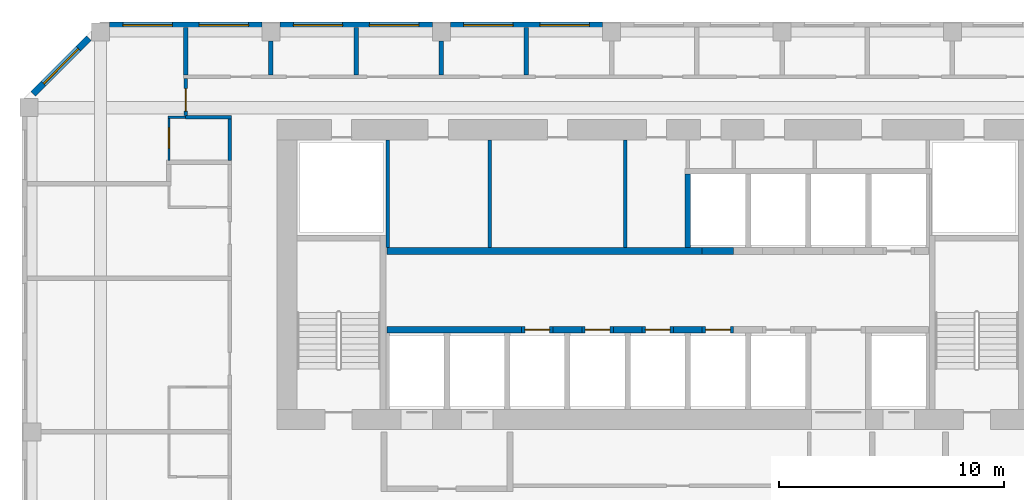
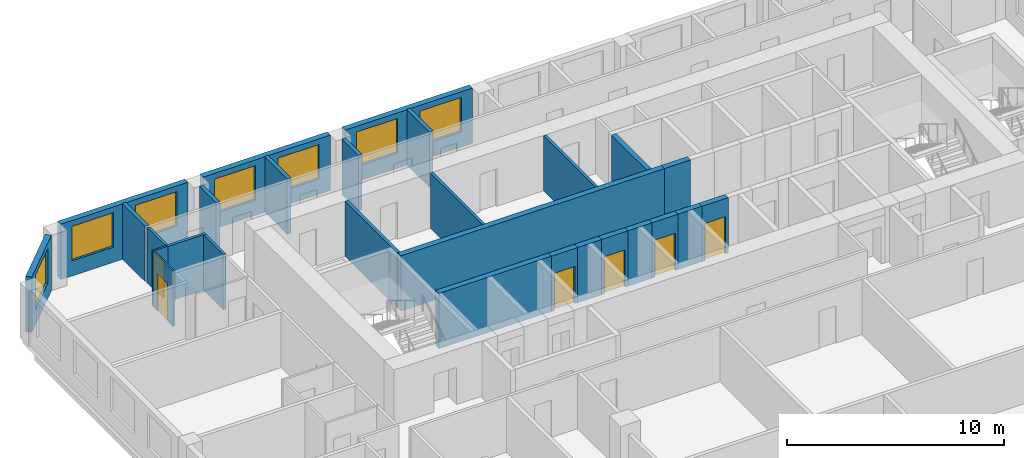
# One storey, part 8 of 22: 28 walls, 7 windows, 6 doors, 13 openings.
"""IFC4 building model written with IfcOpenShell, lengths in metres."""

from ifc_helpers import new_model, si_unit, direction, frame, frame_2d, origin, place, context, subcontext, project, spatial, rectangle, extrude, source, transform, mapped, material, layer, layer_set, type_object, element, fill, save


model = new_model("IFC4")

# Units and contexts
model_context = context("Model", 3, precision=1e-05, world=origin(), true_north=direction((0.0, 1.0)))
body_context = subcontext(model_context, "Body", "Model", "MODEL_VIEW")
ifc_project = project(units=[si_unit("LENGTHUNIT", "METRE"), si_unit("AREAUNIT", "SQUARE_METRE"), si_unit("VOLUMEUNIT", "CUBIC_METRE"), si_unit("PLANEANGLEUNIT", "RADIAN"), si_unit("MASSUNIT", "GRAM", prefix="KILO")], contexts=[model_context])

# Site, building, storey
site_placement = place(None, origin())
site = spatial("IfcSite", under=ifc_project, at=site_placement, CompositionType="ELEMENT")
building_placement = place(site_placement, origin())
building = spatial("IfcBuilding", under=site, at=building_placement, Name="Kilnfold Tower and Market Hall", CompositionType="ELEMENT")
storey_placement = place(building_placement, frame((0.0, 0.0, 171.89990234375)))
storey = spatial("IfcBuildingStorey", under=building, at=storey_placement, Name="L40", CompositionType="ELEMENT", Elevation=171.89990234375)

# Wall, opening, door
ifc_material_1 = material(Name="Gypsum board on steel studs", Category="steel")
ifc_layer_1 = layer(ifc_material_1, 0.14990234375)
ifc_layer_set_1 = layer_set([ifc_layer_1], Name="Gypsum board on steel studs")
wall_type_1 = type_object("IfcWallType", Name="WALL CORRIDOR 150", PredefinedType="PARTITIONING", material=ifc_layer_set_1)
wall_1_placement = place(storey_placement, frame((-19.958984375, 22.074951171875, 0.0), z_axis=(0.0, 0.0, 1.0), x_axis=(0.0, 1.0, 0.0)))
wall_1 = element("IfcWall", 1, at=wall_1_placement, inside=storey, type_object=wall_type_1, Name="Partition LY26.26", PredefinedType="PARTITIONING", context=body_context, shape_type="SweptSolid", body=[
    extrude(rectangle(XDim=1.650146484375, YDim=0.14990234375, at=frame_2d((0.8251953125, 0.0))), origin(), (0.0, 0.0, 1.0), 3.1201171875),
])
opening_1_placement = place(wall_1_placement, frame((0.199951171875, 0.0, 0.0)))
opening_1 = element("IfcOpeningElement", 2, at=opening_1_placement, cuts=wall_1, Name="Opening D1", PredefinedType="OPENING", context=body_context, shape_type="SweptSolid", body=[
    extrude(rectangle(XDim=1.0, YDim=2.10009765625, at=frame_2d((0.5, 1.050048828125))), frame((0.0, 0.0849609375, 0.0), z_axis=(0.0, -1.0, 0.0), x_axis=(1.0, 0.0, 0.0)), (0.0, 0.0, 1.0), 0.169921875),
])
ifc_material_2 = material(Name="Timber veneer door leaf in steel frame", Category="steel")
door_type_1 = type_object("IfcDoorType", Name="DOOR ENTRY 1000 X2100", OperationType="NOTDEFINED", PredefinedType="DOOR", material=ifc_material_2)
door_1_placement = place(opening_1_placement, origin())
door_1 = element("IfcDoor", 3, at=door_1_placement, inside=storey, type_object=door_type_1, Name="Door D1", OperationType="SINGLE_SWING_LEFT", OverallHeight=2.10009765625, OverallWidth=1.0, PredefinedType="DOOR", context=body_context, shape_type="SweptSolid", body=[
    extrude(rectangle(XDim=1.0, YDim=2.10009765625, at=frame_2d((0.5, 1.050048828125))), frame((0.0, 0.02490234375, 0.0), z_axis=(0.0, -1.0, 0.0), x_axis=(1.0, 0.0, 0.0)), (0.0, 0.0, 1.0), 0.050048828125),
])
fill(opening_1, door_1)

# Walls
wall_2_placement = place(storey_placement, frame((-18.0, 20.090087890625, 0.0), z_axis=(0.0, 0.0, 1.0), x_axis=(0.0, 1.0, 0.0)))
element("IfcWall", 4, at=wall_2_placement, inside=storey, type_object=wall_type_1, Name="Partition LY26.27", PredefinedType="PARTITIONING", context=body_context, shape_type="SweptSolid", body=[
    extrude(rectangle(XDim=1.8349609375, YDim=0.14990234375, at=frame_2d((0.91748046875, 0.0))), origin(), (0.0, 0.0, 1.0), 3.1201171875),
])
wall_3_placement = place(storey_placement, frame((-19.958984375, 22.0, 0.0), z_axis=(0.0, 0.0, 1.0), x_axis=(1.0, 0.0, 0.0)))
element("IfcWall", 5, at=wall_3_placement, inside=storey, type_object=wall_type_1, Name="Partition LY26.28", PredefinedType="PARTITIONING", context=body_context, shape_type="SweptSolid", body=[
    extrude(rectangle(XDim=2.033935546875, YDim=0.14990234375, at=frame_2d((1.01708984375, 0.0))), origin(), (0.0, 0.0, 1.0), 3.1201171875),
])
ifc_material_3 = material(Name="Gypsum board on steel studs", Category="steel")
ifc_layer_2 = layer(ifc_material_3, 0.10009765625)
ifc_layer_set_2 = layer_set([ifc_layer_2], Name="Gypsum board on steel studs")
wall_type_2 = type_object("IfcWallType", Name="WALL PARTITION 100", PredefinedType="PARTITIONING", material=ifc_layer_set_2)
wall_4_placement = place(storey_placement, frame((-20.751953125, 22.0, 0.0), z_axis=(0.0, 0.0, 1.0), x_axis=(1.0, 0.0, 0.0)))
element("IfcWall", 6, at=wall_4_placement, inside=storey, type_object=wall_type_2, Name="Partition LY26.115", PredefinedType="PARTITIONING", context=body_context, shape_type="SweptSolid", body=[
    extrude(rectangle(XDim=0.791015625, YDim=0.10009765625, at=frame_2d((0.3955078125, 0.0))), origin(), (0.0, 0.0, 1.0), 3.1201171875),
])

# Wall, opening, door
wall_5_placement = place(storey_placement, frame((-20.701904296875, 20.090087890625, 0.0), z_axis=(0.0, 0.0, 1.0), x_axis=(0.0, 1.0, 0.0)))
wall_5 = element("IfcWall", 7, at=wall_5_placement, inside=storey, type_object=wall_type_2, Name="Partition LY26.116", PredefinedType="PARTITIONING", context=body_context, shape_type="SweptSolid", body=[
    extrude(rectangle(XDim=1.85986328125, YDim=0.10009765625, at=frame_2d((0.929931640625, 0.0))), origin(), (0.0, 0.0, 1.0), 3.1201171875),
])
opening_2_placement = place(wall_5_placement, frame((0.535888671875, 0.0, 0.0)))
opening_2 = element("IfcOpeningElement", 8, at=opening_2_placement, cuts=wall_5, Name="Opening D3", PredefinedType="OPENING", context=body_context, shape_type="SweptSolid", body=[
    extrude(rectangle(XDim=0.89990234375, YDim=2.10009765625, at=frame_2d((0.449951171875, 1.050048828125))), frame((0.0, 0.06005859375, 0.0), z_axis=(0.0, -1.0, 0.0), x_axis=(1.0, 0.0, 0.0)), (0.0, 0.0, 1.0), 0.1201171875),
])
ifc_material_4 = material(Name="Timber veneer door leaf in steel frame", Category="steel")
door_type_2 = type_object("IfcDoorType", Name="DOOR WC 900 X2100", OperationType="NOTDEFINED", PredefinedType="DOOR", material=ifc_material_4)
door_2_placement = place(opening_2_placement, origin())
door_2 = element("IfcDoor", 9, at=door_2_placement, inside=storey, type_object=door_type_2, Name="Door D3", OperationType="SINGLE_SWING_RIGHT", OverallHeight=2.10009765625, OverallWidth=0.89990234375, PredefinedType="DOOR", context=body_context, shape_type="SweptSolid", body=[
    extrude(rectangle(XDim=0.89990234375, YDim=2.10009765625, at=frame_2d((0.449951171875, 1.050048828125))), frame((0.0, 0.02490234375, 0.0), z_axis=(0.0, -1.0, 0.0), x_axis=(1.0, 0.0, 0.0)), (0.0, 0.0, 1.0), 0.050048828125),
])
fill(opening_2, door_2)

# Walls
ifc_material_5 = material(Name="Gypsum board on steel studs", Category="steel")
ifc_layer_3 = layer(ifc_material_5, 0.199951171875)
ifc_layer_set_3 = layer_set([ifc_layer_3], Name="Gypsum board on steel studs")
wall_type_3 = type_object("IfcWallType", Name="WALL PARTY 200", PredefinedType="PARTITIONING", material=ifc_layer_set_3)
wall_6_placement = place(storey_placement, frame((-19.958984375, 23.876953125, 0.0), z_axis=(0.0, 0.0, 1.0), x_axis=(0.0, 1.0, 0.0)))
element("IfcWall", 10, at=wall_6_placement, inside=storey, type_object=wall_type_3, Name="Partition LY26.117", PredefinedType="PARTITIONING", context=body_context, shape_type="SweptSolid", body=[
    extrude(rectangle(XDim=2.123046875, YDim=0.199951171875, at=frame_2d((1.0615234375, 0.0))), origin(), (0.0, 0.0, 1.0), 3.1201171875),
])
wall_7_placement = place(storey_placement, frame((-16.1669921875, 23.876953125, 0.0), z_axis=(0.0, 0.0, 1.0), x_axis=(0.0, 1.0, 0.0)))
element("IfcWall", 11, at=wall_7_placement, inside=storey, type_object=wall_type_3, Name="Partition LY26.124", PredefinedType="PARTITIONING", context=body_context, shape_type="SweptSolid", body=[
    extrude(rectangle(XDim=1.52294921875, YDim=0.199951171875, at=frame_2d((0.761474609375, 0.0))), origin(), (0.0, 0.0, 1.0), 3.1201171875),
])
wall_8_placement = place(storey_placement, frame((-12.375, 23.876953125, 0.0), z_axis=(0.0, 0.0, 1.0), x_axis=(0.0, 1.0, 0.0)))
element("IfcWall", 12, at=wall_8_placement, inside=storey, type_object=wall_type_3, Name="Partition LY26.125", PredefinedType="PARTITIONING", context=body_context, shape_type="SweptSolid", body=[
    extrude(rectangle(XDim=2.123046875, YDim=0.199951171875, at=frame_2d((1.0615234375, 0.0))), origin(), (0.0, 0.0, 1.0), 3.1201171875),
])
wall_9_placement = place(storey_placement, frame((-8.5830078125, 23.876953125, 0.0), z_axis=(0.0, 0.0, 1.0), x_axis=(0.0, 1.0, 0.0)))
element("IfcWall", 13, at=wall_9_placement, inside=storey, type_object=wall_type_3, Name="Partition LY26.126", PredefinedType="PARTITIONING", context=body_context, shape_type="SweptSolid", body=[
    extrude(rectangle(XDim=1.52294921875, YDim=0.199951171875, at=frame_2d((0.761474609375, 0.0))), origin(), (0.0, 0.0, 1.0), 3.1201171875),
])
wall_10_placement = place(storey_placement, frame((-4.7919921875, 23.876953125, 0.0), z_axis=(0.0, 0.0, 1.0), x_axis=(0.0, 1.0, 0.0)))
element("IfcWall", 14, at=wall_10_placement, inside=storey, type_object=wall_type_3, Name="Partition LY26.127", PredefinedType="PARTITIONING", context=body_context, shape_type="SweptSolid", body=[
    extrude(rectangle(XDim=2.123046875, YDim=0.199951171875, at=frame_2d((1.0615234375, 0.0))), origin(), (0.0, 0.0, 1.0), 3.1201171875),
])
ifc_material_6 = material(Name="Concrete C70", Category="concrete")
ifc_layer_4 = layer(ifc_material_6, 0.300048828125)
ifc_layer_set_4 = layer_set([ifc_layer_4], Name="Concrete C70")
wall_type_4 = type_object("IfcWallType", Name="CORE WALL 300 C70", PredefinedType="SHEAR", material=ifc_layer_set_4)
shared_shape_1 = source(origin(), body_context, "Body", "SweptSolid", [
    extrude(rectangle(XDim=6.0, YDim=0.300048828125, at=frame_2d((3.0, 0.0))), origin(), (0.0, 0.0, 1.0), 3.1201171875),
])
wall_11_placement = place(storey_placement, frame((-11.010009765625, 12.550048828125, 0.0), z_axis=(0.0, 0.0, 1.0), x_axis=(1.0, 0.0, 0.0)))
element("IfcWall", 15, at=wall_11_placement, inside=storey, type_object=wall_type_4, Name="Core spine wall", PredefinedType="SHEAR", context=body_context, shape_type="MappedRepresentation", body=[
    mapped(shared_shape_1, transform((0.0, 0.0, 0.0))),
])
shared_shape_2 = source(origin(), body_context, "Body", "SweptSolid", [
    extrude(rectangle(XDim=1.280029296875, YDim=0.300048828125, at=frame_2d((0.64013671875, 0.0))), origin(), (0.0, 0.0, 1.0), 3.1201171875),
])
for number, where, z_axis, x_axis, name in (
    (16, (-3.610107421875, 12.550048828125, 0.0), (0.0, 0.0, 1.0), (1.0, 0.0, 0.0), "Core spine wall"),
    (17, (-0.929931640625, 12.550048828125, 0.0), (0.0, 0.0, 1.0), (1.0, 0.0, 0.0), "Core spine wall"),
    (18, (1.75, 12.550048828125, 0.0), (0.0, 0.0, 1.0), (1.0, 0.0, 0.0), "Core spine wall"),
):
    element("IfcWall", number, at=place(storey_placement, frame(where, z_axis=z_axis, x_axis=x_axis)), inside=storey, type_object=wall_type_4, Name=name, PredefinedType="SHEAR", context=body_context, shape_type="MappedRepresentation", body=[
        mapped(shared_shape_2, transform((0.0, 0.0, 0.0))),
    ])
shared_shape_3 = source(origin(), body_context, "Body", "SweptSolid", [
    extrude(rectangle(XDim=14.0400390625, YDim=0.300048828125, at=frame_2d((7.02001953125, 0.0))), origin(), (0.0, 0.0, 1.0), 3.1201171875),
])
wall_12_placement = place(storey_placement, frame((-11.010009765625, 16.050048828125, 0.0), z_axis=(0.0, 0.0, 1.0), x_axis=(1.0, 0.0, 0.0)))
element("IfcWall", 19, at=wall_12_placement, inside=storey, type_object=wall_type_4, Name="Core spine wall", PredefinedType="SHEAR", context=body_context, shape_type="MappedRepresentation", body=[
    mapped(shared_shape_3, transform((0.0, 0.0, 0.0))),
])

# Wall, openings, windows
ifc_material_7 = material(Name="Precast concrete C50/60", Category="concrete")
ifc_layer_5 = layer(ifc_material_7, 0.300048828125)
ifc_layer_set_5 = layer_set([ifc_layer_5], Name="Precast concrete C50/60")
wall_type_5 = type_object("IfcWallType", Name="PRECAST WALL 300", PredefinedType="SOLIDWALL", material=ifc_layer_set_5)
shared_shape_4 = source(origin(), body_context, "Body", "SweptSolid", [
    extrude(rectangle(XDim=6.783447265625, YDim=0.300048828125, at=frame_2d((3.3916015625, 0.0))), origin(), (0.0, 0.0, 1.0), 3.1201171875),
])
wall_13_placement = place(storey_placement, frame((-1.39990234375, 26.10009765625, 0.0), z_axis=(0.0, 0.0, 1.0), x_axis=(-1.0, 0.0, 0.0)))
wall_13 = element("IfcWall", 20, at=wall_13_placement, inside=storey, type_object=wall_type_5, Name="External wall L40 N", PredefinedType="SOLIDWALL", context=body_context, shape_type="MappedRepresentation", body=[
    mapped(shared_shape_4, transform((0.0, 0.0, 0.0))),
])
opening_3_placement = place(wall_13_placement, frame((0.595703125, 0.0, 0.85009765625)))
opening_3 = element("IfcOpeningElement", 21, at=opening_3_placement, cuts=wall_13, Name="Opening W2", PredefinedType="OPENING", context=body_context, shape_type="SweptSolid", body=[
    extrude(rectangle(XDim=2.199951171875, YDim=1.949951171875, at=frame_2d((1.10009765625, 0.97509765625))), frame((0.0, 0.16015625, 0.0), z_axis=(0.0, -1.0, 0.0), x_axis=(1.0, 0.0, 0.0)), (0.0, 0.0, 1.0), 0.320068359375),
])
opening_4_placement = place(wall_13_placement, frame((3.987548828125, 0.0, 0.85009765625)))
opening_4 = element("IfcOpeningElement", 22, at=opening_4_placement, cuts=wall_13, Name="Opening W2", PredefinedType="OPENING", context=body_context, shape_type="SweptSolid", body=[
    extrude(rectangle(XDim=2.199951171875, YDim=1.949951171875, at=frame_2d((1.10009765625, 0.97509765625))), frame((0.0, 0.16015625, 0.0), z_axis=(0.0, -1.0, 0.0), x_axis=(1.0, 0.0, 0.0)), (0.0, 0.0, 1.0), 0.320068359375),
])
ifc_material_8 = material(Name="Aluminium frame and double glazing", Category="aluminium")
window_type = type_object("IfcWindowType", Name="WINDOW W2 2200X1950", PartitioningType="SINGLE_PANEL", PredefinedType="WINDOW", material=ifc_material_8)
window_1_placement = place(opening_3_placement, origin())
window_1 = element("IfcWindow", 23, at=window_1_placement, inside=storey, type_object=window_type, Name="Window W2 L40 N-1", OverallHeight=1.949951171875, OverallWidth=2.199951171875, PartitioningType="SINGLE_PANEL", PredefinedType="WINDOW", context=body_context, shape_type="SweptSolid", body=[
    extrude(rectangle(XDim=2.199951171875, YDim=1.949951171875, at=frame_2d((1.10009765625, 0.97509765625))), frame((0.0, 0.030029296875, 0.0), z_axis=(0.0, -1.0, 0.0), x_axis=(1.0, 0.0, 0.0)), (0.0, 0.0, 1.0), 0.06005859375),
])
fill(opening_3, window_1)
window_2_placement = place(opening_4_placement, origin())
window_2 = element("IfcWindow", 24, at=window_2_placement, inside=storey, type_object=window_type, Name="Window W2 L40 N-2", OverallHeight=1.949951171875, OverallWidth=2.199951171875, PartitioningType="SINGLE_PANEL", PredefinedType="WINDOW", context=body_context, shape_type="SweptSolid", body=[
    extrude(rectangle(XDim=2.199951171875, YDim=1.949951171875, at=frame_2d((1.10009765625, 0.97509765625))), frame((0.0, 0.030029296875, 0.0), z_axis=(0.0, -1.0, 0.0), x_axis=(1.0, 0.0, 0.0)), (0.0, 0.0, 1.0), 0.06005859375),
])
fill(opening_4, window_2)

wall_14_placement = place(storey_placement, frame((-16.566650390625, 26.10009765625, 0.0), z_axis=(0.0, 0.0, 1.0), x_axis=(-1.0, 0.0, 0.0)))
wall_14 = element("IfcWall", 25, at=wall_14_placement, inside=storey, type_object=wall_type_5, Name="External wall L40 N", PredefinedType="SOLIDWALL", context=body_context, shape_type="MappedRepresentation", body=[
    mapped(shared_shape_4, transform((0.0, 0.0, 0.0))),
])
opening_5_placement = place(wall_14_placement, frame((0.595703125, 0.0, 0.85009765625)))
opening_5 = element("IfcOpeningElement", 26, at=opening_5_placement, cuts=wall_14, Name="Opening W2", PredefinedType="OPENING", context=body_context, shape_type="SweptSolid", body=[
    extrude(rectangle(XDim=2.199951171875, YDim=1.949951171875, at=frame_2d((1.10009765625, 0.97509765625))), frame((0.0, 0.16015625, 0.0), z_axis=(0.0, -1.0, 0.0), x_axis=(1.0, 0.0, 0.0)), (0.0, 0.0, 1.0), 0.320068359375),
])
opening_6_placement = place(wall_14_placement, frame((3.987548828125, 0.0, 0.85009765625)))
opening_6 = element("IfcOpeningElement", 27, at=opening_6_placement, cuts=wall_14, Name="Opening W2", PredefinedType="OPENING", context=body_context, shape_type="SweptSolid", body=[
    extrude(rectangle(XDim=2.199951171875, YDim=1.949951171875, at=frame_2d((1.10009765625, 0.97509765625))), frame((0.0, 0.16015625, 0.0), z_axis=(0.0, -1.0, 0.0), x_axis=(1.0, 0.0, 0.0)), (0.0, 0.0, 1.0), 0.320068359375),
])
window_3_placement = place(opening_5_placement, origin())
window_3 = element("IfcWindow", 28, at=window_3_placement, inside=storey, type_object=window_type, Name="Window W2 L40 N-1", OverallHeight=1.949951171875, OverallWidth=2.199951171875, PartitioningType="SINGLE_PANEL", PredefinedType="WINDOW", context=body_context, shape_type="SweptSolid", body=[
    extrude(rectangle(XDim=2.199951171875, YDim=1.949951171875, at=frame_2d((1.10009765625, 0.97509765625))), frame((0.0, 0.030029296875, 0.0), z_axis=(0.0, -1.0, 0.0), x_axis=(1.0, 0.0, 0.0)), (0.0, 0.0, 1.0), 0.06005859375),
])
fill(opening_5, window_3)
window_4_placement = place(opening_6_placement, origin())
window_4 = element("IfcWindow", 29, at=window_4_placement, inside=storey, type_object=window_type, Name="Window W2 L40 N-2", OverallHeight=1.949951171875, OverallWidth=2.199951171875, PartitioningType="SINGLE_PANEL", PredefinedType="WINDOW", context=body_context, shape_type="SweptSolid", body=[
    extrude(rectangle(XDim=2.199951171875, YDim=1.949951171875, at=frame_2d((1.10009765625, 0.97509765625))), frame((0.0, 0.030029296875, 0.0), z_axis=(0.0, -1.0, 0.0), x_axis=(1.0, 0.0, 0.0)), (0.0, 0.0, 1.0), 0.06005859375),
])
fill(opening_6, window_4)

shared_shape_5 = source(origin(), body_context, "Body", "SweptSolid", [
    extrude(rectangle(XDim=6.783203125, YDim=0.300048828125, at=frame_2d((3.3916015625, 0.0))), origin(), (0.0, 0.0, 1.0), 3.1201171875),
])
wall_15_placement = place(storey_placement, frame((-8.9833984375, 26.10009765625, 0.0), z_axis=(0.0, 0.0, 1.0), x_axis=(-1.0, 0.0, 0.0)))
wall_15 = element("IfcWall", 30, at=wall_15_placement, inside=storey, type_object=wall_type_5, Name="External wall L40 N", PredefinedType="SOLIDWALL", context=body_context, shape_type="MappedRepresentation", body=[
    mapped(shared_shape_5, transform((0.0, 0.0, 0.0))),
])
opening_7_placement = place(wall_15_placement, frame((0.595703125, 0.0, 0.85009765625)))
opening_7 = element("IfcOpeningElement", 31, at=opening_7_placement, cuts=wall_15, Name="Opening W2", PredefinedType="OPENING", context=body_context, shape_type="SweptSolid", body=[
    extrude(rectangle(XDim=2.199951171875, YDim=1.949951171875, at=frame_2d((1.10009765625, 0.97509765625))), frame((0.0, 0.16015625, 0.0), z_axis=(0.0, -1.0, 0.0), x_axis=(1.0, 0.0, 0.0)), (0.0, 0.0, 1.0), 0.320068359375),
])
opening_8_placement = place(wall_15_placement, frame((3.987548828125, 0.0, 0.85009765625)))
opening_8 = element("IfcOpeningElement", 32, at=opening_8_placement, cuts=wall_15, Name="Opening W2", PredefinedType="OPENING", context=body_context, shape_type="SweptSolid", body=[
    extrude(rectangle(XDim=2.199951171875, YDim=1.949951171875, at=frame_2d((1.10009765625, 0.97509765625))), frame((0.0, 0.16015625, 0.0), z_axis=(0.0, -1.0, 0.0), x_axis=(1.0, 0.0, 0.0)), (0.0, 0.0, 1.0), 0.320068359375),
])
window_5_placement = place(opening_7_placement, origin())
window_5 = element("IfcWindow", 33, at=window_5_placement, inside=storey, type_object=window_type, Name="Window W2 L40 N-1", OverallHeight=1.949951171875, OverallWidth=2.199951171875, PartitioningType="SINGLE_PANEL", PredefinedType="WINDOW", context=body_context, shape_type="SweptSolid", body=[
    extrude(rectangle(XDim=2.199951171875, YDim=1.949951171875, at=frame_2d((1.10009765625, 0.97509765625))), frame((0.0, 0.030029296875, 0.0), z_axis=(0.0, -1.0, 0.0), x_axis=(1.0, 0.0, 0.0)), (0.0, 0.0, 1.0), 0.06005859375),
])
fill(opening_7, window_5)
window_6_placement = place(opening_8_placement, origin())
window_6 = element("IfcWindow", 34, at=window_6_placement, inside=storey, type_object=window_type, Name="Window W2 L40 N-2", OverallHeight=1.949951171875, OverallWidth=2.199951171875, PartitioningType="SINGLE_PANEL", PredefinedType="WINDOW", context=body_context, shape_type="SweptSolid", body=[
    extrude(rectangle(XDim=2.199951171875, YDim=1.949951171875, at=frame_2d((1.10009765625, 0.97509765625))), frame((0.0, 0.030029296875, 0.0), z_axis=(0.0, -1.0, 0.0), x_axis=(1.0, 0.0, 0.0)), (0.0, 0.0, 1.0), 0.06005859375),
])
fill(opening_8, window_6)

# Wall, opening, window
shared_shape_6 = source(origin(), body_context, "Body", "SweptSolid", [
    extrude(rectangle(XDim=3.500244140625, YDim=0.300048828125, at=frame_2d((1.75, 0.0))), origin(), (0.0, 0.0, 1.0), 3.1201171875),
])
wall_16_placement = place(storey_placement, frame((-24.268798828125, 25.518798828125, 0.0), z_axis=(0.0, 0.0, 1.0), x_axis=(-0.707141656123, -0.70707190453, 0.0)))
wall_16 = element("IfcWall", 35, at=wall_16_placement, inside=storey, type_object=wall_type_5, Name="External wall L40 NW", PredefinedType="SOLIDWALL", context=body_context, shape_type="MappedRepresentation", body=[
    mapped(shared_shape_6, transform((0.0, 0.0, 0.0))),
])
opening_9_placement = place(wall_16_placement, frame((0.650146484375, 0.0, 0.85009765625)))
opening_9 = element("IfcOpeningElement", 36, at=opening_9_placement, cuts=wall_16, Name="Opening W2", PredefinedType="OPENING", context=body_context, shape_type="SweptSolid", body=[
    extrude(rectangle(XDim=2.199951171875, YDim=1.949951171875, at=frame_2d((1.10009765625, 0.97509765625))), frame((0.0, 0.16015625, 0.0), z_axis=(0.0, -1.0, 0.0), x_axis=(1.0, 0.0, 0.0)), (0.0, 0.0, 1.0), 0.320068359375),
])
window_7_placement = place(opening_9_placement, origin())
window_7 = element("IfcWindow", 37, at=window_7_placement, inside=storey, type_object=window_type, Name="Window W2 L40 NW-1", OverallHeight=1.949951171875, OverallWidth=2.199951171875, PartitioningType="SINGLE_PANEL", PredefinedType="WINDOW", context=body_context, shape_type="SweptSolid", body=[
    extrude(rectangle(XDim=2.199951171875, YDim=1.949951171875, at=frame_2d((1.10009765625, 0.97509765625))), frame((0.0, 0.030029296875, 0.0), z_axis=(0.0, -1.0, 0.0), x_axis=(1.0, 0.0, 0.0)), (0.0, 0.0, 1.0), 0.06005859375),
])
fill(opening_9, window_7)

# Wall, opening, door
ifc_material_9 = material(Name="Gypsum shaft wall system")
ifc_layer_6 = layer(ifc_material_9, 0.300048828125)
ifc_layer_set_6 = layer_set([ifc_layer_6], Name="Gypsum shaft wall system")
wall_type_6 = type_object("IfcWallType", Name="SHAFT WALL 300", PredefinedType="PARTITIONING", material=ifc_layer_set_6)
shared_shape_7 = source(origin(), body_context, "Body", "SweptSolid", [
    extrude(rectangle(XDim=1.39990234375, YDim=0.300048828125, at=frame_2d((0.699951171875, 0.0))), origin(), (0.0, 0.0, 1.0), 3.1201171875),
])
wall_17_placement = place(storey_placement, frame((-5.010009765625, 12.550048828125, 0.0), z_axis=(0.0, 0.0, 1.0), x_axis=(1.0, 0.0, 0.0)))
wall_17 = element("IfcWall", 38, at=wall_17_placement, inside=storey, type_object=wall_type_6, Name="Lift shaft front wall", PredefinedType="PARTITIONING", context=body_context, shape_type="MappedRepresentation", body=[
    mapped(shared_shape_7, transform((0.0, 0.0, 0.0))),
])
opening_10_placement = place(wall_17_placement, frame((0.14990234375, 0.0, 0.0)))
opening_10 = element("IfcOpeningElement", 39, at=opening_10_placement, cuts=wall_17, Name="Opening LD2", PredefinedType="OPENING", context=body_context, shape_type="SweptSolid", body=[
    extrude(rectangle(XDim=1.10009765625, YDim=2.10009765625, at=frame_2d((0.550048828125, 1.050048828125))), frame((0.0, 0.16015625, 0.0), z_axis=(0.0, -1.0, 0.0), x_axis=(1.0, 0.0, 0.0)), (0.0, 0.0, 1.0), 0.320068359375),
])
ifc_material_10 = material(Name="Steel door set with fire-resisting leaf", Category="steel")
door_type_3 = type_object("IfcDoorType", Name="LANDING DOOR 1100X2100", OperationType="NOTDEFINED", PredefinedType="DOOR", material=ifc_material_10)
door_3_placement = place(opening_10_placement, origin())
door_3 = element("IfcDoor", 40, at=door_3_placement, inside=storey, type_object=door_type_3, Name="Landing door MR1", OperationType="DOUBLE_DOOR_SLIDING", OverallHeight=2.10009765625, OverallWidth=1.10009765625, PredefinedType="DOOR", context=body_context, shape_type="SweptSolid", body=[
    extrude(rectangle(XDim=1.10009765625, YDim=2.10009765625, at=frame_2d((0.550048828125, 1.050048828125))), frame((0.0, 0.02490234375, 0.0), z_axis=(0.0, -1.0, 0.0), x_axis=(1.0, 0.0, 0.0)), (0.0, 0.0, 1.0), 0.050048828125),
])
fill(opening_10, door_3)

wall_18_placement = place(storey_placement, frame((0.35009765625, 12.550048828125, 0.0), z_axis=(0.0, 0.0, 1.0), x_axis=(1.0, 0.0, 0.0)))
wall_18 = element("IfcWall", 41, at=wall_18_placement, inside=storey, type_object=wall_type_6, Name="Lift shaft front wall", PredefinedType="PARTITIONING", context=body_context, shape_type="MappedRepresentation", body=[
    mapped(shared_shape_7, transform((0.0, 0.0, 0.0))),
])
opening_11_placement = place(wall_18_placement, frame((0.14990234375, 0.0, 0.0)))
opening_11 = element("IfcOpeningElement", 42, at=opening_11_placement, cuts=wall_18, Name="Opening LD2", PredefinedType="OPENING", context=body_context, shape_type="SweptSolid", body=[
    extrude(rectangle(XDim=1.10009765625, YDim=2.10009765625, at=frame_2d((0.550048828125, 1.050048828125))), frame((0.0, 0.16015625, 0.0), z_axis=(0.0, -1.0, 0.0), x_axis=(1.0, 0.0, 0.0)), (0.0, 0.0, 1.0), 0.320068359375),
])
door_4_placement = place(opening_11_placement, origin())
door_4 = element("IfcDoor", 43, at=door_4_placement, inside=storey, type_object=door_type_3, Name="Landing door MR3", OperationType="DOUBLE_DOOR_SLIDING", OverallHeight=2.10009765625, OverallWidth=1.10009765625, PredefinedType="DOOR", context=body_context, shape_type="SweptSolid", body=[
    extrude(rectangle(XDim=1.10009765625, YDim=2.10009765625, at=frame_2d((0.550048828125, 1.050048828125))), frame((0.0, 0.02490234375, 0.0), z_axis=(0.0, -1.0, 0.0), x_axis=(1.0, 0.0, 0.0)), (0.0, 0.0, 1.0), 0.050048828125),
])
fill(opening_11, door_4)

wall_19_placement = place(storey_placement, frame((3.030029296875, 12.550048828125, 0.0), z_axis=(0.0, 0.0, 1.0), x_axis=(1.0, 0.0, 0.0)))
wall_19 = element("IfcWall", 44, at=wall_19_placement, inside=storey, type_object=wall_type_6, Name="Lift shaft front wall", PredefinedType="PARTITIONING", context=body_context, shape_type="MappedRepresentation", body=[
    mapped(shared_shape_7, transform((0.0, 0.0, 0.0))),
])
opening_12_placement = place(wall_19_placement, frame((0.14990234375, 0.0, 0.0)))
opening_12 = element("IfcOpeningElement", 45, at=opening_12_placement, cuts=wall_19, Name="Opening LD2", PredefinedType="OPENING", context=body_context, shape_type="SweptSolid", body=[
    extrude(rectangle(XDim=1.10009765625, YDim=2.10009765625, at=frame_2d((0.550048828125, 1.050048828125))), frame((0.0, 0.16015625, 0.0), z_axis=(0.0, -1.0, 0.0), x_axis=(1.0, 0.0, 0.0)), (0.0, 0.0, 1.0), 0.320068359375),
])
door_5_placement = place(opening_12_placement, origin())
door_5 = element("IfcDoor", 46, at=door_5_placement, inside=storey, type_object=door_type_3, Name="Landing door MR4", OperationType="DOUBLE_DOOR_SLIDING", OverallHeight=2.10009765625, OverallWidth=1.10009765625, PredefinedType="DOOR", context=body_context, shape_type="SweptSolid", body=[
    extrude(rectangle(XDim=1.10009765625, YDim=2.10009765625, at=frame_2d((0.550048828125, 1.050048828125))), frame((0.0, 0.02490234375, 0.0), z_axis=(0.0, -1.0, 0.0), x_axis=(1.0, 0.0, 0.0)), (0.0, 0.0, 1.0), 0.050048828125),
])
fill(opening_12, door_5)

# Wall
wall_20_placement = place(storey_placement, frame((3.030029296875, 16.050048828125, 0.0), z_axis=(0.0, 0.0, 1.0), x_axis=(1.0, 0.0, 0.0)))
element("IfcWall", 47, at=wall_20_placement, inside=storey, type_object=wall_type_6, Name="Lift shaft front wall", PredefinedType="PARTITIONING", context=body_context, shape_type="MappedRepresentation", body=[
    mapped(shared_shape_7, transform((0.0, 0.0, 0.0))),
])

# Wall, opening, door
shared_shape_8 = source(origin(), body_context, "Body", "SweptSolid", [
    extrude(rectangle(XDim=1.400146484375, YDim=0.300048828125, at=frame_2d((0.7001953125, 0.0))), origin(), (0.0, 0.0, 1.0), 3.1201171875),
])
wall_21_placement = place(storey_placement, frame((-2.330078125, 12.550048828125, 0.0), z_axis=(0.0, 0.0, 1.0), x_axis=(1.0, 0.0, 0.0)))
wall_21 = element("IfcWall", 48, at=wall_21_placement, inside=storey, type_object=wall_type_6, Name="Lift shaft front wall", PredefinedType="PARTITIONING", context=body_context, shape_type="MappedRepresentation", body=[
    mapped(shared_shape_8, transform((0.0, 0.0, 0.0))),
])
opening_13_placement = place(wall_21_placement, frame((0.14990234375, 0.0, 0.0)))
opening_13 = element("IfcOpeningElement", 49, at=opening_13_placement, cuts=wall_21, Name="Opening LD2", PredefinedType="OPENING", context=body_context, shape_type="SweptSolid", body=[
    extrude(rectangle(XDim=1.10009765625, YDim=2.10009765625, at=frame_2d((0.550048828125, 1.050048828125))), frame((0.0, 0.16015625, 0.0), z_axis=(0.0, -1.0, 0.0), x_axis=(1.0, 0.0, 0.0)), (0.0, 0.0, 1.0), 0.320068359375),
])
door_6_placement = place(opening_13_placement, origin())
door_6 = element("IfcDoor", 50, at=door_6_placement, inside=storey, type_object=door_type_3, Name="Landing door MR2", OperationType="DOUBLE_DOOR_SLIDING", OverallHeight=2.10009765625, OverallWidth=1.10009765625, PredefinedType="DOOR", context=body_context, shape_type="SweptSolid", body=[
    extrude(rectangle(XDim=1.10009765625, YDim=2.10009765625, at=frame_2d((0.550048828125, 1.050048828125))), frame((0.0, 0.02490234375, 0.0), z_axis=(0.0, -1.0, 0.0), x_axis=(1.0, 0.0, 0.0)), (0.0, 0.0, 1.0), 0.050048828125),
])
fill(opening_13, door_6)

# Walls
ifc_material_11 = material(Name="Gypsum shaft wall system")
ifc_layer_7 = layer(ifc_material_11, 0.1650390625)
ifc_layer_set_7 = layer_set([ifc_layer_7], Name="Gypsum shaft wall system")
wall_type_7 = type_object("IfcWallType", Name="SHAFT WALL 165", PredefinedType="PARTITIONING", material=ifc_layer_set_7)
shared_shape_9 = source(origin(), body_context, "Body", "SweptSolid", [
    extrude(rectangle(XDim=4.800048828125, YDim=0.1650390625, at=frame_2d((2.39990234375, 0.0))), origin(), (0.0, 0.0, 1.0), 3.1201171875),
])
wall_22_placement = place(storey_placement, frame((-10.967529296875, 16.199951171875, 0.0), z_axis=(0.0, 0.0, 1.0), x_axis=(0.0, 1.0, 0.0)))
element("IfcWall", 51, at=wall_22_placement, inside=storey, type_object=wall_type_7, Name="Lift shaft wall", PredefinedType="PARTITIONING", context=body_context, shape_type="MappedRepresentation", body=[
    mapped(shared_shape_9, transform((0.0, 0.0, 0.0))),
])
ifc_material_12 = material(Name="Gypsum shaft wall system")
ifc_layer_8 = layer(ifc_material_12, 0.25)
ifc_layer_set_8 = layer_set([ifc_layer_8], Name="Gypsum shaft wall system")
wall_type_8 = type_object("IfcWallType", Name="SHAFT WALL 250", PredefinedType="PARTITIONING", material=ifc_layer_set_8)
shared_shape_10 = source(origin(), body_context, "Body", "SweptSolid", [
    extrude(rectangle(XDim=3.275146484375, YDim=0.25, at=frame_2d((1.6376953125, 0.0))), origin(), (0.0, 0.0, 1.0), 3.1201171875),
])
wall_23_placement = place(storey_placement, frame((2.389892578125, 16.199951171875, 0.0), z_axis=(0.0, 0.0, 1.0), x_axis=(0.0, 1.0, 0.0)))
element("IfcWall", 52, at=wall_23_placement, inside=storey, type_object=wall_type_8, Name="Lift shaft wall", PredefinedType="PARTITIONING", context=body_context, shape_type="MappedRepresentation", body=[
    mapped(shared_shape_10, transform((0.0, 0.0, 0.0))),
])
ifc_material_13 = material(Name="Gypsum shaft wall system")
ifc_layer_9 = layer(ifc_material_13, 0.14990234375)
ifc_layer_set_9 = layer_set([ifc_layer_9], Name="Gypsum shaft wall system")
wall_type_9 = type_object("IfcWallType", Name="ROOM WALL 150", PredefinedType="PARTITIONING", material=ifc_layer_set_9)
shared_shape_11 = source(origin(), body_context, "Body", "SweptSolid", [
    extrude(rectangle(XDim=4.800048828125, YDim=0.14990234375, at=frame_2d((2.39990234375, 0.0))), origin(), (0.0, 0.0, 1.0), 3.1201171875),
])
for number, where, z_axis, x_axis, name in (
    (53, (-6.42724609375, 16.199951171875, 0.0), (0.0, 0.0, 1.0), (0.0, 1.0, 0.0), "Core room wall"),
    (54, (-0.397216796875, 16.199951171875, 0.0), (0.0, 0.0, 1.0), (0.0, 1.0, 0.0), "Core room wall"),
):
    element("IfcWall", number, at=place(storey_placement, frame(where, z_axis=z_axis, x_axis=x_axis)), inside=storey, type_object=wall_type_9, Name=name, PredefinedType="PARTITIONING", context=body_context, shape_type="MappedRepresentation", body=[
        mapped(shared_shape_11, transform((0.0, 0.0, 0.0))),
    ])

save(model, "model.ifc")
